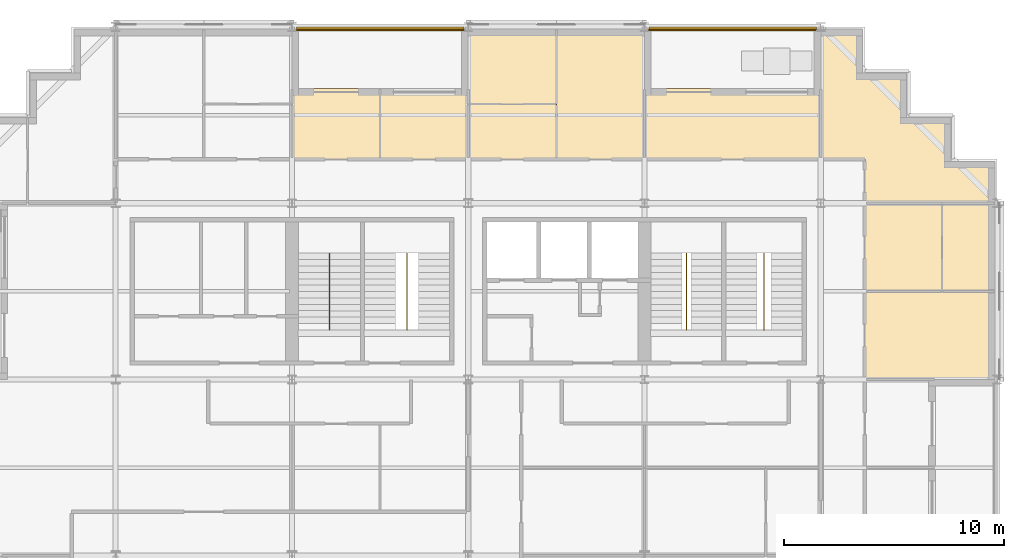
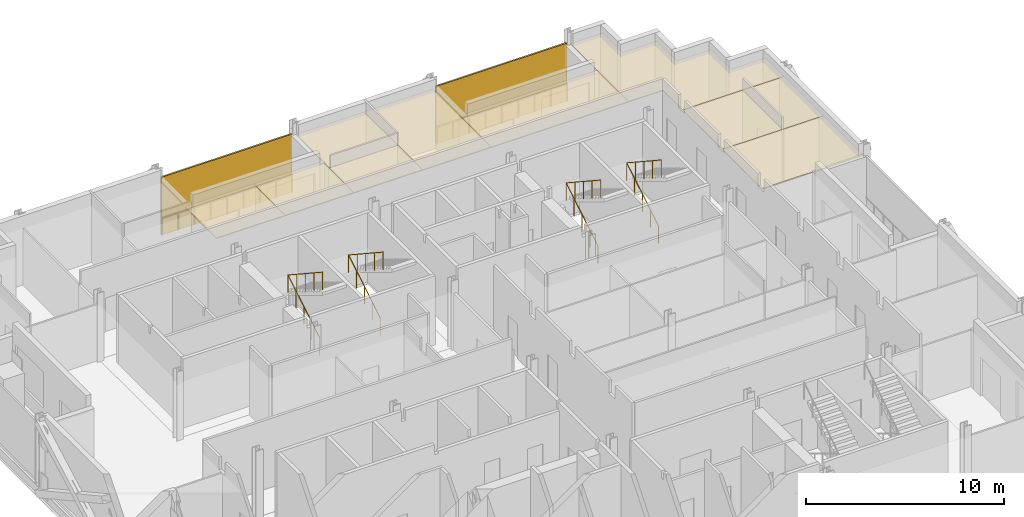
# One storey, part 14 of 15: 10 coverings, 6 railings, 2 shading devices.
"""IFC4 building model written with IfcOpenShell, lengths in metres."""

from ifc_helpers import new_model, si_unit, direction, frame, origin, origin_2d, place, context, subcontext, project, spatial, polyline, rectangle, circle, outline, extrude, material, layer, layer_set, type_object, element, save


model = new_model("IFC4")

# Units and contexts
model_context = context("Model", 3, precision=1e-05, world=origin(), true_north=direction((0.0, 1.0)))
body_context = subcontext(model_context, "Body", "Model", "MODEL_VIEW")
ifc_project = project(units=[si_unit("LENGTHUNIT", "METRE"), si_unit("AREAUNIT", "SQUARE_METRE"), si_unit("VOLUMEUNIT", "CUBIC_METRE"), si_unit("PLANEANGLEUNIT", "RADIAN"), si_unit("MASSUNIT", "GRAM", prefix="KILO")], contexts=[model_context])

# Site, building, storey
site_placement = place(None, origin())
site = spatial("IfcSite", under=ifc_project, at=site_placement, CompositionType="ELEMENT")
building_placement = place(site_placement, origin())
building = spatial("IfcBuilding", under=site, at=building_placement, Name="Immortelle Media Tower", CompositionType="ELEMENT")
storey_placement = place(building_placement, frame((0.0, 0.0, 65.60009765625)))
storey = spatial("IfcBuildingStorey", under=building, at=storey_placement, Name="L11", CompositionType="ELEMENT", Elevation=65.60009765625)

# Railings
ifc_material_1 = material(Name="Powder-coated aluminium fretwork panel, laminated glass backing", Category="aluminium")
railing_type_1 = type_object("IfcRailingType", Name="Fretwork balustrade 1100", PredefinedType="BALUSTRADE", material=ifc_material_1)
railing_1_placement = place(storey_placement, frame((39.802978515625, 47.860107421875, 0.0)))
element("IfcRailing", 1, at=railing_1_placement, inside=storey, type_object=railing_type_1, Name="Fretwork balustrade L11 N0", PredefinedType="BALUSTRADE", context=body_context, shape_type="SweptSolid", body=[
    extrude(circle(Radius=0.02490234375, at=origin_2d()), frame((0.0, 0.0, 1.0751953125), z_axis=(-1.0, 0.0, 0.0), x_axis=(0.0, -1.0, 0.0)), (0.0, 0.0, 1.0), 7.6025390625),
    extrude(circle(Radius=0.02001953125, at=origin_2d()), origin(), (0.0, 0.0, 1.0), 1.050048828125),
    extrude(circle(Radius=0.02001953125, at=origin_2d()), frame((-0.9501953125, 0.0, 0.0)), (0.0, 0.0, 1.0), 1.050048828125),
    extrude(circle(Radius=0.02001953125, at=origin_2d()), frame((-1.900634765625, 0.0, 0.0)), (0.0, 0.0, 1.0), 1.050048828125),
    extrude(circle(Radius=0.02001953125, at=origin_2d()), frame((-2.85107421875, 0.0, 0.0)), (0.0, 0.0, 1.0), 1.050048828125),
    extrude(circle(Radius=0.02001953125, at=origin_2d()), frame((-3.80126953125, 0.0, 0.0)), (0.0, 0.0, 1.0), 1.050048828125),
    extrude(circle(Radius=0.02001953125, at=origin_2d()), frame((-4.75146484375, 0.0, 0.0)), (0.0, 0.0, 1.0), 1.050048828125),
    extrude(circle(Radius=0.02001953125, at=origin_2d()), frame((-5.701904296875, 0.0, 0.0)), (0.0, 0.0, 1.0), 1.050048828125),
    extrude(circle(Radius=0.02001953125, at=origin_2d()), frame((-6.65234375, 0.0, 0.0)), (0.0, 0.0, 1.0), 1.050048828125),
    extrude(circle(Radius=0.02001953125, at=origin_2d()), frame((-7.6025390625, 0.0, 0.0)), (0.0, 0.0, 1.0), 1.050048828125),
])
railing_2_placement = place(storey_placement, frame((23.799560546875, 47.860107421875, 0.0)))
element("IfcRailing", 2, at=railing_2_placement, inside=storey, type_object=railing_type_1, Name="Fretwork balustrade L11 N2", PredefinedType="BALUSTRADE", context=body_context, shape_type="SweptSolid", body=[
    extrude(circle(Radius=0.02490234375, at=origin_2d()), frame((0.0, 0.0, 1.0751953125), z_axis=(-1.0, 0.0, 0.0), x_axis=(0.0, -1.0, 0.0)), (0.0, 0.0, 1.0), 7.593994140625),
    extrude(circle(Radius=0.02001953125, at=origin_2d()), origin(), (0.0, 0.0, 1.0), 1.050048828125),
    extrude(circle(Radius=0.02001953125, at=origin_2d()), frame((-0.94921875, 0.0, 0.0)), (0.0, 0.0, 1.0), 1.050048828125),
    extrude(circle(Radius=0.02001953125, at=origin_2d()), frame((-1.8984375, 0.0, 0.0)), (0.0, 0.0, 1.0), 1.050048828125),
    extrude(circle(Radius=0.02001953125, at=origin_2d()), frame((-2.84765625, 0.0, 0.0)), (0.0, 0.0, 1.0), 1.050048828125),
    extrude(circle(Radius=0.02001953125, at=origin_2d()), frame((-3.796875, 0.0, 0.0)), (0.0, 0.0, 1.0), 1.050048828125),
    extrude(circle(Radius=0.02001953125, at=origin_2d()), frame((-4.746337890625, 0.0, 0.0)), (0.0, 0.0, 1.0), 1.050048828125),
    extrude(circle(Radius=0.02001953125, at=origin_2d()), frame((-5.695556640625, 0.0, 0.0)), (0.0, 0.0, 1.0), 1.050048828125),
    extrude(circle(Radius=0.02001953125, at=origin_2d()), frame((-6.644775390625, 0.0, 0.0)), (0.0, 0.0, 1.0), 1.050048828125),
    extrude(circle(Radius=0.02001953125, at=origin_2d()), frame((-7.593994140625, 0.0, 0.0)), (0.0, 0.0, 1.0), 1.050048828125),
])

# Shading devices
ifc_material_2 = material(Name="Pale aluminium louvre blades", Category="aluminium")
ifc_layer_1 = layer(ifc_material_2, 0.10009765625)
ifc_layer_set_1 = layer_set([ifc_layer_1], Name="Pale aluminium louvre blades")
shading_device_type = type_object("IfcShadingDeviceType", Name="Jalousie screen 100", PredefinedType="JALOUSIE", material=ifc_layer_set_1)
shading_device_1_placement = place(storey_placement, frame((36.001708984375, 47.949951171875, 0.0), z_axis=(0.0, 0.0, 1.0), x_axis=(-1.0, 0.0, 0.0)))
element("IfcShadingDevice", 3, at=shading_device_1_placement, inside=storey, type_object=shading_device_type, Name="Jalousie screen L11 N0", PredefinedType="JALOUSIE", context=body_context, shape_type="SweptSolid", body=[
    extrude(rectangle(XDim=7.6025390625, YDim=0.10009765625, at=origin_2d()), origin(), (0.0, 0.0, 1.0), 3.556884765625),
])
shading_device_2_placement = place(storey_placement, frame((20.00244140625, 47.949951171875, 0.0), z_axis=(0.0, 0.0, 1.0), x_axis=(-1.0, 0.0, 0.0)))
element("IfcShadingDevice", 4, at=shading_device_2_placement, inside=storey, type_object=shading_device_type, Name="Jalousie screen L11 N2", PredefinedType="JALOUSIE", context=body_context, shape_type="SweptSolid", body=[
    extrude(rectangle(XDim=7.593994140625, YDim=0.10009765625, at=origin_2d()), origin(), (0.0, 0.0, 1.0), 3.556884765625),
])

# Railings
ifc_material_3 = material(Name="Stainless steel AISI 316", Category="steel")
railing_type_2 = type_object("IfcRailingType", Name="Stair guard 1100", PredefinedType="GUARDRAIL", material=ifc_material_3)
for number, where, name in (
    (5, (17.699951171875, 34.5400390625, 0.17578125), "Stair guard NW1"),
    (6, (21.22509765625, 34.5400390625, 0.17578125), "Stair guard NW2"),
    (7, (33.89990234375, 34.5400390625, 0.17578125), "Stair guard NE1"),
    (8, (37.425048828125, 34.5400390625, 0.17578125), "Stair guard NE2"),
):
    element("IfcRailing", number, at=place(storey_placement, frame(where)), inside=storey, type_object=railing_type_2, Name=name, PredefinedType="GUARDRAIL", context=body_context, shape_type="SweptSolid", body=[
        extrude(circle(Radius=0.02392578125, at=origin_2d()), frame((0.0, 0.0, 1.076171875), z_axis=(0.0, 0.854872504309, 0.518838126371), x_axis=(-1.0, 0.0, 0.0)), (0.0, 0.0, 1.0), 3.7314453125),
        extrude(circle(Radius=0.02392578125, at=origin_2d()), frame((0.0, 3.18994140625, 3.01220703125), z_axis=(0.0, -0.835568629342, 0.549386080693), x_axis=(1.0, 0.0, 0.0)), (0.0, 0.0, 1.0), 4.164794921875),
        extrude(circle(Radius=0.02099609375, at=origin_2d()), origin(), (0.0, 0.0, 1.0), 1.052001953125),
        extrude(circle(Radius=0.02099609375, at=origin_2d()), frame((0.0, 0.79736328125, 0.48388671875)), (0.0, 0.0, 1.0), 1.052001953125),
        extrude(circle(Radius=0.02099609375, at=origin_2d()), frame((0.0, 1.594970703125, 0.968017578125)), (0.0, 0.0, 1.0), 1.052001953125),
        extrude(circle(Radius=0.02099609375, at=origin_2d()), frame((0.0, 2.392578125, 1.4521484375)), (0.0, 0.0, 1.0), 1.052001953125),
        extrude(circle(Radius=0.02099609375, at=origin_2d()), frame((0.0, 3.18994140625, 1.93603515625)), (0.0, 0.0, 1.0), 1.052001953125),
        extrude(circle(Radius=0.02099609375, at=origin_2d()), frame((0.0, 2.31982421875, 2.508056640625)), (0.0, 0.0, 1.0), 1.052001953125),
        extrude(circle(Radius=0.02099609375, at=origin_2d()), frame((0.0, 1.449951171875, 3.080078125)), (0.0, 0.0, 1.0), 1.052001953125),
        extrude(circle(Radius=0.02099609375, at=origin_2d()), frame((0.0, 0.580078125, 3.652099609375)), (0.0, 0.0, 1.0), 1.052001953125),
        extrude(circle(Radius=0.02099609375, at=origin_2d()), frame((0.0, -0.2900390625, 4.22412109375)), (0.0, 0.0, 1.0), 1.052001953125),
    ])

# Coverings
ifc_material_4 = material(Name="Mineral fibre tile ceiling")
ifc_layer_2 = layer(ifc_material_4, 0.050048828125)
ifc_layer_set_2 = layer_set([ifc_layer_2], Name="Mineral fibre tile ceiling")
covering_type = type_object("IfcCoveringType", Name="Suspended ceiling 50", PredefinedType="CEILING", material=ifc_layer_set_2)
covering_1_placement = place(storey_placement, frame((0.0, 0.0, 3.419921875)))
element("IfcCovering", 9, at=covering_1_placement, inside=storey, type_object=covering_type, Name="Ceiling L11-026", PredefinedType="CEILING", context=body_context, shape_type="SweptSolid", body=[
    extrude(outline(polyline([(42.0, 32.0), (42.0, 36.0), (47.89990234375, 36.0), (47.89990234375, 32.0), (45.199951171875, 32.0), (42.0, 32.0)])), origin(), (0.0, 0.0, 1.0), 0.050048828125),
])
covering_2_placement = place(storey_placement, frame((0.0, 0.0, 3.419921875)))
element("IfcCovering", 10, at=covering_2_placement, inside=storey, type_object=covering_type, Name="Ceiling L11-027", PredefinedType="CEILING", context=body_context, shape_type="SweptSolid", body=[
    extrude(outline(polyline([(45.5, 40.0), (45.5, 36.0), (42.0, 36.0), (42.0, 40.0), (45.5, 40.0)])), origin(), (0.0, 0.0, 1.0), 0.050048828125),
])
covering_3_placement = place(storey_placement, frame((0.0, 0.0, 3.419921875)))
element("IfcCovering", 11, at=covering_3_placement, inside=storey, type_object=covering_type, Name="Ceiling L11-028", PredefinedType="CEILING", context=body_context, shape_type="SweptSolid", body=[
    extrude(outline(polyline([(47.89990234375, 40.0), (47.89990234375, 36.0), (45.5, 36.0), (45.5, 40.0), (47.89990234375, 40.0)])), origin(), (0.0, 0.0, 1.0), 0.050048828125),
])
covering_4_placement = place(storey_placement, frame((0.0, 0.0, 3.419921875)))
element("IfcCovering", 12, at=covering_4_placement, inside=storey, type_object=covering_type, Name="Ceiling L11-031", PredefinedType="CEILING", context=body_context, shape_type="SweptSolid", body=[
    extrude(outline(polyline([(45.89990234375, 41.89990234375), (47.89990234375, 41.89990234375), (47.89990234375, 40.0), (44.0, 40.0), (42.0, 40.0), (42.0, 42.0), (40.0, 42.0), (40.0, 45.199951171875), (40.0, 47.89990234375), (41.89990234375, 47.89990234375), (41.89990234375, 45.89990234375), (43.89990234375, 45.89990234375), (43.89990234375, 43.89990234375), (44.0, 43.89990234375), (45.89990234375, 43.89990234375), (45.89990234375, 41.89990234375)])), origin(), (0.0, 0.0, 1.0), 0.050048828125),
])
covering_5_placement = place(storey_placement, frame((0.0, 0.0, 3.419921875)))
element("IfcCovering", 13, at=covering_5_placement, inside=storey, type_object=covering_type, Name="Ceiling L11-032", PredefinedType="CEILING", context=body_context, shape_type="SweptSolid", body=[
    extrude(outline(polyline([(16.0, 45.199951171875), (20.0, 45.199951171875), (20.0, 42.0), (16.0, 42.0), (16.0, 45.199951171875)])), origin(), (0.0, 0.0, 1.0), 0.050048828125),
])
covering_6_placement = place(storey_placement, frame((0.0, 0.0, 3.419921875)))
element("IfcCovering", 14, at=covering_6_placement, inside=storey, type_object=covering_type, Name="Ceiling L11-033", PredefinedType="CEILING", context=body_context, shape_type="SweptSolid", body=[
    extrude(outline(polyline([(24.0, 45.199951171875), (24.0, 42.0), (20.0, 42.0), (20.0, 45.199951171875), (24.0, 45.199951171875)])), origin(), (0.0, 0.0, 1.0), 0.050048828125),
])
covering_7_placement = place(storey_placement, frame((0.0, 0.0, 3.419921875)))
element("IfcCovering", 15, at=covering_7_placement, inside=storey, type_object=covering_type, Name="Ceiling L11-034", PredefinedType="CEILING", context=body_context, shape_type="SweptSolid", body=[
    extrude(outline(polyline([(32.0, 42.0), (32.0, 45.199951171875), (40.0, 45.199951171875), (40.0, 42.0), (32.0, 42.0)])), origin(), (0.0, 0.0, 1.0), 0.050048828125),
])
covering_8_placement = place(storey_placement, frame((0.0, 0.0, 3.419921875)))
element("IfcCovering", 16, at=covering_8_placement, inside=storey, type_object=covering_type, Name="Ceiling L11-038", PredefinedType="CEILING", context=body_context, shape_type="SweptSolid", body=[
    extrude(outline(polyline([(28.0, 42.0), (24.0, 42.0), (24.0, 44.5), (28.0, 44.5), (28.0, 42.0)])), origin(), (0.0, 0.0, 1.0), 0.050048828125),
])
covering_9_placement = place(storey_placement, frame((0.0, 0.0, 3.419921875)))
element("IfcCovering", 17, at=covering_9_placement, inside=storey, type_object=covering_type, Name="Ceiling L11-039", PredefinedType="CEILING", context=body_context, shape_type="SweptSolid", body=[
    extrude(outline(polyline([(24.0, 47.89990234375), (28.0, 47.89990234375), (28.0, 44.5), (24.0, 44.5), (24.0, 45.199951171875), (24.0, 47.89990234375)])), origin(), (0.0, 0.0, 1.0), 0.050048828125),
])
covering_10_placement = place(storey_placement, frame((0.0, 0.0, 3.419921875)))
element("IfcCovering", 18, at=covering_10_placement, inside=storey, type_object=covering_type, Name="Ceiling L11-040", PredefinedType="CEILING", context=body_context, shape_type="SweptSolid", body=[
    extrude(outline(polyline([(32.0, 47.89990234375), (32.0, 45.199951171875), (32.0, 42.0), (28.0, 42.0), (28.0, 47.89990234375), (32.0, 47.89990234375)])), origin(), (0.0, 0.0, 1.0), 0.050048828125),
])

save(model, "model.ifc")
